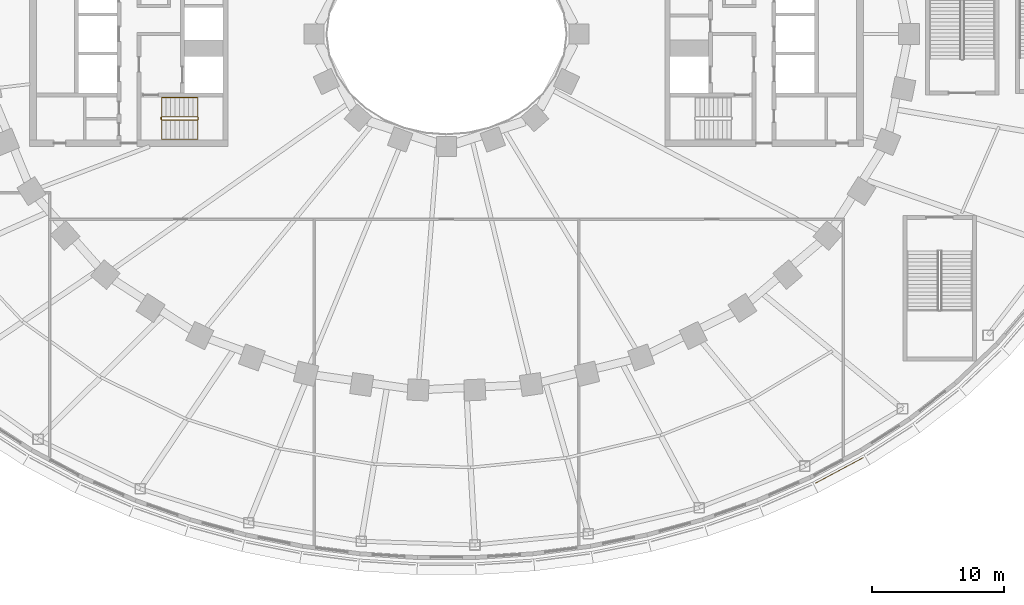
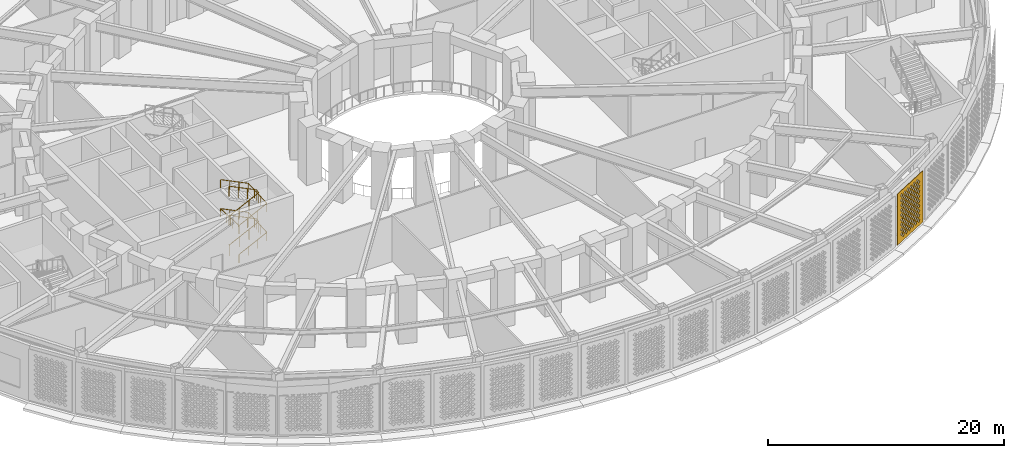
# One storey, part 65 of 74: 2 railings, 1 covering.
"""IFC4 building model written with IfcOpenShell, lengths in metres."""

from ifc_helpers import new_model, si_unit, direction, frame, origin, origin_2d, place, context, subcontext, project, spatial, polyline, rectangle, outline, extrude, material, layer, layer_set, type_object, element, save


model = new_model("IFC4")

# Units and contexts
model_context = context("Model", 3, precision=1e-05, world=origin(), true_north=direction((0.0, 1.0)))
body_context = subcontext(model_context, "Body", "Model", "MODEL_VIEW")
ifc_project = project(units=[si_unit("LENGTHUNIT", "METRE"), si_unit("AREAUNIT", "SQUARE_METRE"), si_unit("VOLUMEUNIT", "CUBIC_METRE"), si_unit("PLANEANGLEUNIT", "RADIAN"), si_unit("MASSUNIT", "GRAM", prefix="KILO")], contexts=[model_context])

# Site, building, storey
site_placement = place(None, origin())
site = spatial("IfcSite", under=ifc_project, at=site_placement, CompositionType="ELEMENT")
building_placement = place(site_placement, origin())
building = spatial("IfcBuilding", under=site, at=building_placement, Name="Noorbagh Ring Tower", CompositionType="ELEMENT")
storey_placement = place(building_placement, frame((0.0, 0.0, 13.5)))
storey = spatial("IfcBuildingStorey", under=building, at=storey_placement, Name="L02", CompositionType="ELEMENT", Elevation=13.5)

# Railings
ifc_material_1 = material(Name="Stainless steel", Category="steel")
railing_type_1 = type_object("IfcRailingType", Name="CORE-STAIR-GUARD", PredefinedType="GUARDRAIL", material=ifc_material_1)
railing_1_placement = place(storey_placement, frame((-21.580078125, -6.449951171875, 0.0)))
element("IfcRailing", 1, at=railing_1_placement, inside=storey, type_object=railing_type_1, Name="L02 ST2 stair guard", PredefinedType="GUARDRAIL", context=body_context, shape_type="SweptSolid", body=[
    extrude(rectangle(XDim=0.048095703125, YDim=0.048095703125, at=origin_2d()), frame((0.0, 0.0, 1.076171875), z_axis=(0.0, 1.0, 0.0), x_axis=(-1.0, 0.0, 0.0)), (0.0, 0.0, 1.0), 0.14990234375),
    extrude(rectangle(XDim=0.048095703125, YDim=0.048095703125, at=origin_2d()), frame((0.0, 0.14990234375, 1.076171875), z_axis=(0.188775798145, -0.754182335027, 0.628945707965), x_axis=(0.970072785993, 0.242814311512, 0.0)), (0.0, 0.0, 1.0), 0.26513671875),
    extrude(rectangle(XDim=0.048095703125, YDim=0.048095703125, at=origin_2d()), frame((0.050048828125, -0.050048828125, 1.24267578125), z_axis=(0.897929466783, 0.0, 0.4401393787), x_axis=(0.0, 1.0, 0.0)), (0.0, 0.0, 1.0), 3.029052734375),
    extrude(rectangle(XDim=0.048095703125, YDim=0.048095703125, at=origin_2d()), frame((2.77001953125, -0.050048828125, 2.576171875), z_axis=(0.707106781187, 0.707106781187, 0.0), x_axis=(-0.707106781187, 0.707106781187, 0.0)), (0.0, 0.0, 1.0), 0.07080078125),
    extrude(rectangle(XDim=0.048095703125, YDim=0.048095703125, at=origin_2d()), frame((2.820068359375, 0.0, 2.576171875), z_axis=(0.0, 1.0, 0.0), x_axis=(-1.0, 0.0, 0.0)), (0.0, 0.0, 1.0), 0.14990234375),
    extrude(rectangle(XDim=0.048095703125, YDim=0.048095703125, at=origin_2d()), frame((2.820068359375, 0.14990234375, 2.576171875), z_axis=(-0.27628659633, 0.27628659633, 0.920506074601), x_axis=(-0.707106781187, -0.707106781187, 0.0)), (0.0, 0.0, 1.0), 0.18115234375),
    extrude(rectangle(XDim=0.048095703125, YDim=0.048095703125, at=origin_2d()), frame((2.77001953125, 0.199951171875, 2.74267578125), z_axis=(-0.897929466783, 0.0, 0.4401393787), x_axis=(0.0, -1.0, 0.0)), (0.0, 0.0, 1.0), 3.029052734375),
    extrude(rectangle(XDim=0.048095703125, YDim=0.048095703125, at=origin_2d()), frame((0.050048828125, 0.199951171875, 4.076171875), z_axis=(-0.242814311512, -0.970072785993, 0.0), x_axis=(0.970072785993, -0.242814311512, 0.0)), (0.0, 0.0, 1.0), 0.2060546875),
    extrude(rectangle(XDim=0.048095703125, YDim=0.048095703125, at=origin_2d()), frame((0.0, 0.0, 4.076171875), z_axis=(0.0, 1.0, 0.0), x_axis=(-1.0, 0.0, 0.0)), (0.0, 0.0, 1.0), 0.14990234375),
    extrude(rectangle(XDim=0.048095703125, YDim=0.048095703125, at=origin_2d()), frame((0.0, 0.14990234375, 4.076171875), z_axis=(0.188775798145, -0.754182335027, 0.628945707965), x_axis=(0.970072785993, 0.242814311512, 0.0)), (0.0, 0.0, 1.0), 0.26513671875),
    extrude(rectangle(XDim=0.048095703125, YDim=0.048095703125, at=origin_2d()), frame((0.050048828125, -0.050048828125, 4.24267578125), z_axis=(0.897929466783, 0.0, 0.4401393787), x_axis=(0.0, 1.0, 0.0)), (0.0, 0.0, 1.0), 3.029052734375),
    extrude(rectangle(XDim=0.048095703125, YDim=0.048095703125, at=origin_2d()), frame((2.77001953125, -0.050048828125, 5.576171875), z_axis=(0.707106781187, 0.707106781187, 0.0), x_axis=(-0.707106781187, 0.707106781187, 0.0)), (0.0, 0.0, 1.0), 0.07080078125),
    extrude(rectangle(XDim=0.048095703125, YDim=0.048095703125, at=origin_2d()), frame((2.820068359375, 0.0, 5.576171875), z_axis=(0.0, 1.0, 0.0), x_axis=(-1.0, 0.0, 0.0)), (0.0, 0.0, 1.0), 0.14990234375),
    extrude(rectangle(XDim=0.048095703125, YDim=0.048095703125, at=origin_2d()), frame((2.820068359375, 0.14990234375, 5.576171875), z_axis=(-0.27628659633, 0.27628659633, 0.920506074601), x_axis=(-0.707106781187, -0.707106781187, 0.0)), (0.0, 0.0, 1.0), 0.18115234375),
    extrude(rectangle(XDim=0.048095703125, YDim=0.048095703125, at=origin_2d()), frame((2.77001953125, 0.199951171875, 5.74267578125), z_axis=(-0.897929466783, 0.0, 0.4401393787), x_axis=(0.0, -1.0, 0.0)), (0.0, 0.0, 1.0), 3.029052734375),
    extrude(rectangle(XDim=0.0419921875, YDim=0.0419921875, at=origin_2d()), origin(), (0.0, 0.0, 1.0), 1.052001953125),
    extrude(rectangle(XDim=0.0419921875, YDim=0.0419921875, at=origin_2d()), frame((0.956787109375, -0.050048828125, 0.611083984375)), (0.0, 0.0, 1.0), 1.052001953125),
    extrude(rectangle(XDim=0.0419921875, YDim=0.0419921875, at=origin_2d()), frame((1.86328125, -0.050048828125, 1.0556640625)), (0.0, 0.0, 1.0), 1.052001953125),
    extrude(rectangle(XDim=0.0419921875, YDim=0.0419921875, at=origin_2d()), frame((2.77001953125, -0.050048828125, 1.5)), (0.0, 0.0, 1.0), 1.052001953125),
    extrude(rectangle(XDim=0.0419921875, YDim=0.0419921875, at=origin_2d()), frame((2.77001953125, 0.199951171875, 1.666748046875)), (0.0, 0.0, 1.0), 1.052001953125),
    extrude(rectangle(XDim=0.0419921875, YDim=0.0419921875, at=origin_2d()), frame((1.86328125, 0.199951171875, 2.111083984375)), (0.0, 0.0, 1.0), 1.052001953125),
    extrude(rectangle(XDim=0.0419921875, YDim=0.0419921875, at=origin_2d()), frame((0.956787109375, 0.199951171875, 2.5556640625)), (0.0, 0.0, 1.0), 1.052001953125),
    extrude(rectangle(XDim=0.0419921875, YDim=0.0419921875, at=origin_2d()), frame((0.050048828125, 0.199951171875, 3.0)), (0.0, 0.0, 1.0), 1.052001953125),
    extrude(rectangle(XDim=0.0419921875, YDim=0.0419921875, at=origin_2d()), frame((0.050048828125, -0.050048828125, 3.166748046875)), (0.0, 0.0, 1.0), 1.052001953125),
    extrude(rectangle(XDim=0.0419921875, YDim=0.0419921875, at=origin_2d()), frame((0.956787109375, -0.050048828125, 3.611083984375)), (0.0, 0.0, 1.0), 1.052001953125),
    extrude(rectangle(XDim=0.0419921875, YDim=0.0419921875, at=origin_2d()), frame((1.86328125, -0.050048828125, 4.0556640625)), (0.0, 0.0, 1.0), 1.052001953125),
    extrude(rectangle(XDim=0.0419921875, YDim=0.0419921875, at=origin_2d()), frame((2.77001953125, -0.050048828125, 4.5)), (0.0, 0.0, 1.0), 1.052001953125),
    extrude(rectangle(XDim=0.0419921875, YDim=0.0419921875, at=origin_2d()), frame((2.77001953125, 0.199951171875, 4.666748046875)), (0.0, 0.0, 1.0), 1.052001953125),
    extrude(rectangle(XDim=0.0419921875, YDim=0.0419921875, at=origin_2d()), frame((1.86328125, 0.199951171875, 5.111083984375)), (0.0, 0.0, 1.0), 1.052001953125),
    extrude(rectangle(XDim=0.0419921875, YDim=0.0419921875, at=origin_2d()), frame((0.956787109375, 0.199951171875, 5.5556640625)), (0.0, 0.0, 1.0), 1.052001953125),
    extrude(rectangle(XDim=0.0419921875, YDim=0.0419921875, at=origin_2d()), frame((0.050048828125, 0.199951171875, 6.0)), (0.0, 0.0, 1.0), 1.052001953125),
])
ifc_material_2 = material(Name="Stainless steel", Category="steel")
railing_type_2 = type_object("IfcRailingType", Name="CORE-STAIR-HANDRAIL", PredefinedType="HANDRAIL", material=ifc_material_2)
railing_2_placement = place(storey_placement, frame((-21.530029296875, -7.949951171875, 0.166748046875)))
element("IfcRailing", 2, at=railing_2_placement, inside=storey, type_object=railing_type_2, Name="L02 ST2 stair handrail", PredefinedType="HANDRAIL", context=body_context, shape_type="SweptSolid", body=[
    extrude(rectangle(XDim=0.048095703125, YDim=0.048095703125, at=origin_2d()), frame((0.0, 0.0, 0.8759765625), z_axis=(0.897929466783, 0.0, 0.4401393787), x_axis=(0.0, 1.0, 0.0)), (0.0, 0.0, 1.0), 3.029052734375),
    extrude(rectangle(XDim=0.048095703125, YDim=0.048095703125, at=origin_2d()), frame((2.719970703125, 0.0, 2.208984375), z_axis=(0.0, 0.998601747152, 0.052863509014), x_axis=(-1.0, 0.0, 0.0)), (0.0, 0.0, 1.0), 3.154296875),
    extrude(rectangle(XDim=0.048095703125, YDim=0.048095703125, at=origin_2d()), frame((2.719970703125, 3.14990234375, 2.3759765625), z_axis=(-0.897929466783, 0.0, 0.4401393787), x_axis=(0.0, -1.0, 0.0)), (0.0, 0.0, 1.0), 3.029052734375),
    extrude(rectangle(XDim=0.048095703125, YDim=0.048095703125, at=origin_2d()), frame((0.0, 3.14990234375, 3.708984375), z_axis=(0.0, -0.998601747152, 0.052863509014), x_axis=(1.0, 0.0, 0.0)), (0.0, 0.0, 1.0), 3.154296875),
    extrude(rectangle(XDim=0.048095703125, YDim=0.048095703125, at=origin_2d()), frame((0.0, 0.0, 3.8759765625), z_axis=(0.897929466783, 0.0, 0.4401393787), x_axis=(0.0, 1.0, 0.0)), (0.0, 0.0, 1.0), 3.029052734375),
    extrude(rectangle(XDim=0.048095703125, YDim=0.048095703125, at=origin_2d()), frame((2.719970703125, 0.0, 5.208984375), z_axis=(0.0, 0.998601747152, 0.052863509014), x_axis=(-1.0, 0.0, 0.0)), (0.0, 0.0, 1.0), 3.154296875),
    extrude(rectangle(XDim=0.048095703125, YDim=0.048095703125, at=origin_2d()), frame((2.719970703125, 3.14990234375, 5.3759765625), z_axis=(-0.897929466783, 0.0, 0.4401393787), x_axis=(0.0, -1.0, 0.0)), (0.0, 0.0, 1.0), 3.029052734375),
    extrude(rectangle(XDim=0.0419921875, YDim=0.0419921875, at=origin_2d()), origin(), (0.0, 0.0, 1.0), 0.851806640625),
    extrude(rectangle(XDim=0.0419921875, YDim=0.0419921875, at=origin_2d()), frame((0.90673828125, 0.0, 0.4443359375)), (0.0, 0.0, 1.0), 0.851806640625),
    extrude(rectangle(XDim=0.0419921875, YDim=0.0419921875, at=origin_2d()), frame((1.813232421875, 0.0, 0.888916015625)), (0.0, 0.0, 1.0), 0.851806640625),
    extrude(rectangle(XDim=0.0419921875, YDim=0.0419921875, at=origin_2d()), frame((2.719970703125, 0.0, 1.333251953125)), (0.0, 0.0, 1.0), 0.851806640625),
    extrude(rectangle(XDim=0.0419921875, YDim=0.0419921875, at=origin_2d()), frame((2.719970703125, 1.050048828125, 1.388916015625)), (0.0, 0.0, 1.0), 0.851806640625),
    extrude(rectangle(XDim=0.0419921875, YDim=0.0419921875, at=origin_2d()), frame((2.719970703125, 2.099853515625, 1.4443359375)), (0.0, 0.0, 1.0), 0.851806640625),
    extrude(rectangle(XDim=0.0419921875, YDim=0.0419921875, at=origin_2d()), frame((2.719970703125, 3.14990234375, 1.5)), (0.0, 0.0, 1.0), 0.851806640625),
    extrude(rectangle(XDim=0.0419921875, YDim=0.0419921875, at=origin_2d()), frame((1.813232421875, 3.14990234375, 1.9443359375)), (0.0, 0.0, 1.0), 0.851806640625),
    extrude(rectangle(XDim=0.0419921875, YDim=0.0419921875, at=origin_2d()), frame((0.90673828125, 3.14990234375, 2.388916015625)), (0.0, 0.0, 1.0), 0.851806640625),
    extrude(rectangle(XDim=0.0419921875, YDim=0.0419921875, at=origin_2d()), frame((0.0, 3.14990234375, 2.833251953125)), (0.0, 0.0, 1.0), 0.851806640625),
    extrude(rectangle(XDim=0.0419921875, YDim=0.0419921875, at=origin_2d()), frame((0.0, 2.099853515625, 2.888916015625)), (0.0, 0.0, 1.0), 0.851806640625),
    extrude(rectangle(XDim=0.0419921875, YDim=0.0419921875, at=origin_2d()), frame((0.0, 1.050048828125, 2.9443359375)), (0.0, 0.0, 1.0), 0.851806640625),
    extrude(rectangle(XDim=0.0419921875, YDim=0.0419921875, at=origin_2d()), frame((0.0, 0.0, 3.0)), (0.0, 0.0, 1.0), 0.851806640625),
    extrude(rectangle(XDim=0.0419921875, YDim=0.0419921875, at=origin_2d()), frame((0.90673828125, 0.0, 3.4443359375)), (0.0, 0.0, 1.0), 0.851806640625),
    extrude(rectangle(XDim=0.0419921875, YDim=0.0419921875, at=origin_2d()), frame((1.813232421875, 0.0, 3.888916015625)), (0.0, 0.0, 1.0), 0.851806640625),
    extrude(rectangle(XDim=0.0419921875, YDim=0.0419921875, at=origin_2d()), frame((2.719970703125, 0.0, 4.333251953125)), (0.0, 0.0, 1.0), 0.851806640625),
    extrude(rectangle(XDim=0.0419921875, YDim=0.0419921875, at=origin_2d()), frame((2.719970703125, 1.050048828125, 4.388916015625)), (0.0, 0.0, 1.0), 0.851806640625),
    extrude(rectangle(XDim=0.0419921875, YDim=0.0419921875, at=origin_2d()), frame((2.719970703125, 2.099853515625, 4.4443359375)), (0.0, 0.0, 1.0), 0.851806640625),
    extrude(rectangle(XDim=0.0419921875, YDim=0.0419921875, at=origin_2d()), frame((2.719970703125, 3.14990234375, 4.5)), (0.0, 0.0, 1.0), 0.851806640625),
    extrude(rectangle(XDim=0.0419921875, YDim=0.0419921875, at=origin_2d()), frame((1.813232421875, 3.14990234375, 4.9443359375)), (0.0, 0.0, 1.0), 0.851806640625),
    extrude(rectangle(XDim=0.0419921875, YDim=0.0419921875, at=origin_2d()), frame((0.90673828125, 3.14990234375, 5.388916015625)), (0.0, 0.0, 1.0), 0.851806640625),
    extrude(rectangle(XDim=0.0419921875, YDim=0.0419921875, at=origin_2d()), frame((0.0, 3.14990234375, 5.833251953125)), (0.0, 0.0, 1.0), 0.851806640625),
])

# Covering
ifc_material_3 = material(Name="Red sandstone jali", Category="masonry")
ifc_layer = layer(ifc_material_3, 0.0400390625)
ifc_layer_set = layer_set([ifc_layer], Name="Red sandstone jali")
covering_type = type_object("IfcCoveringType", Name="STY-JALI", PredefinedType="USERDEFINED", material=ifc_layer_set)
covering_placement = place(storey_placement, frame((27.897705078125, -33.9609375, 0.449951171875), z_axis=(0.470869695201, -0.882202771556, 0.0), x_axis=(0.882202771556, 0.470869695201, 0.0)))
element("IfcCovering", 3, at=covering_placement, inside=storey, type_object=covering_type, Name="Jali screen", ObjectType="SCREEN", PredefinedType="USERDEFINED", context=body_context, shape_type="SweptSolid", body=[
    extrude(outline(polyline([(0.0, 0.0), (4.0966796875, 0.0), (4.0966796875, 5.300048828125), (0.0, 5.300048828125), (0.0, 0.0)]), holes=[polyline([(0.743408203125, 0.52490234375), (0.92333984375, 0.344970703125), (1.103271484375, 0.52490234375), (0.92333984375, 0.705078125), (0.743408203125, 0.52490234375)]), polyline([(1.243408203125, 0.52490234375), (1.42333984375, 0.344970703125), (1.603271484375, 0.52490234375), (1.42333984375, 0.705078125), (1.243408203125, 0.52490234375)]), polyline([(1.743408203125, 0.52490234375), (1.92333984375, 0.344970703125), (2.103271484375, 0.52490234375), (1.92333984375, 0.705078125), (1.743408203125, 0.52490234375)]), polyline([(2.243408203125, 0.52490234375), (2.42333984375, 0.344970703125), (2.603271484375, 0.52490234375), (2.42333984375, 0.705078125), (2.243408203125, 0.52490234375)]), polyline([(2.743408203125, 0.52490234375), (2.92333984375, 0.344970703125), (3.103271484375, 0.52490234375), (2.92333984375, 0.705078125), (2.743408203125, 0.52490234375)]), polyline([(3.243408203125, 0.52490234375), (3.42333984375, 0.344970703125), (3.603271484375, 0.52490234375), (3.42333984375, 0.705078125), (3.243408203125, 0.52490234375)]), polyline([(0.493408203125, 0.77490234375), (0.67333984375, 0.594970703125), (0.853271484375, 0.77490234375), (0.67333984375, 0.955078125), (0.493408203125, 0.77490234375)]), polyline([(0.993408203125, 0.77490234375), (1.17333984375, 0.594970703125), (1.353271484375, 0.77490234375), (1.17333984375, 0.955078125), (0.993408203125, 0.77490234375)]), polyline([(1.493408203125, 0.77490234375), (1.67333984375, 0.594970703125), (1.853271484375, 0.77490234375), (1.67333984375, 0.955078125), (1.493408203125, 0.77490234375)]), polyline([(1.993408203125, 0.77490234375), (2.17333984375, 0.594970703125), (2.353271484375, 0.77490234375), (2.17333984375, 0.955078125), (1.993408203125, 0.77490234375)]), polyline([(2.493408203125, 0.77490234375), (2.67333984375, 0.594970703125), (2.853271484375, 0.77490234375), (2.67333984375, 0.955078125), (2.493408203125, 0.77490234375)]), polyline([(2.993408203125, 0.77490234375), (3.17333984375, 0.594970703125), (3.353271484375, 0.77490234375), (3.17333984375, 0.955078125), (2.993408203125, 0.77490234375)]), polyline([(0.743408203125, 1.02490234375), (0.92333984375, 0.844970703125), (1.103271484375, 1.02490234375), (0.92333984375, 1.205078125), (0.743408203125, 1.02490234375)]), polyline([(1.243408203125, 1.02490234375), (1.42333984375, 0.844970703125), (1.603271484375, 1.02490234375), (1.42333984375, 1.205078125), (1.243408203125, 1.02490234375)]), polyline([(1.743408203125, 1.02490234375), (1.92333984375, 0.844970703125), (2.103271484375, 1.02490234375), (1.92333984375, 1.205078125), (1.743408203125, 1.02490234375)]), polyline([(2.243408203125, 1.02490234375), (2.42333984375, 0.844970703125), (2.603271484375, 1.02490234375), (2.42333984375, 1.205078125), (2.243408203125, 1.02490234375)]), polyline([(2.743408203125, 1.02490234375), (2.92333984375, 0.844970703125), (3.103271484375, 1.02490234375), (2.92333984375, 1.205078125), (2.743408203125, 1.02490234375)]), polyline([(3.243408203125, 1.02490234375), (3.42333984375, 0.844970703125), (3.603271484375, 1.02490234375), (3.42333984375, 1.205078125), (3.243408203125, 1.02490234375)]), polyline([(0.493408203125, 1.27490234375), (0.67333984375, 1.094970703125), (0.853271484375, 1.27490234375), (0.67333984375, 1.455078125), (0.493408203125, 1.27490234375)]), polyline([(0.993408203125, 1.27490234375), (1.17333984375, 1.094970703125), (1.353271484375, 1.27490234375), (1.17333984375, 1.455078125), (0.993408203125, 1.27490234375)]), polyline([(1.493408203125, 1.27490234375), (1.67333984375, 1.094970703125), (1.853271484375, 1.27490234375), (1.67333984375, 1.455078125), (1.493408203125, 1.27490234375)]), polyline([(1.993408203125, 1.27490234375), (2.17333984375, 1.094970703125), (2.353271484375, 1.27490234375), (2.17333984375, 1.455078125), (1.993408203125, 1.27490234375)]), polyline([(2.493408203125, 1.27490234375), (2.67333984375, 1.094970703125), (2.853271484375, 1.27490234375), (2.67333984375, 1.455078125), (2.493408203125, 1.27490234375)]), polyline([(2.993408203125, 1.27490234375), (3.17333984375, 1.094970703125), (3.353271484375, 1.27490234375), (3.17333984375, 1.455078125), (2.993408203125, 1.27490234375)]), polyline([(0.743408203125, 1.52490234375), (0.92333984375, 1.344970703125), (1.103271484375, 1.52490234375), (0.92333984375, 1.705078125), (0.743408203125, 1.52490234375)]), polyline([(1.243408203125, 1.52490234375), (1.42333984375, 1.344970703125), (1.603271484375, 1.52490234375), (1.42333984375, 1.705078125), (1.243408203125, 1.52490234375)]), polyline([(1.743408203125, 1.52490234375), (1.92333984375, 1.344970703125), (2.103271484375, 1.52490234375), (1.92333984375, 1.705078125), (1.743408203125, 1.52490234375)]), polyline([(2.243408203125, 1.52490234375), (2.42333984375, 1.344970703125), (2.603271484375, 1.52490234375), (2.42333984375, 1.705078125), (2.243408203125, 1.52490234375)]), polyline([(2.743408203125, 1.52490234375), (2.92333984375, 1.344970703125), (3.103271484375, 1.52490234375), (2.92333984375, 1.705078125), (2.743408203125, 1.52490234375)]), polyline([(3.243408203125, 1.52490234375), (3.42333984375, 1.344970703125), (3.603271484375, 1.52490234375), (3.42333984375, 1.705078125), (3.243408203125, 1.52490234375)]), polyline([(0.493408203125, 1.77490234375), (0.67333984375, 1.594970703125), (0.853271484375, 1.77490234375), (0.67333984375, 1.955078125), (0.493408203125, 1.77490234375)]), polyline([(0.993408203125, 1.77490234375), (1.17333984375, 1.594970703125), (1.353271484375, 1.77490234375), (1.17333984375, 1.955078125), (0.993408203125, 1.77490234375)]), polyline([(1.493408203125, 1.77490234375), (1.67333984375, 1.594970703125), (1.853271484375, 1.77490234375), (1.67333984375, 1.955078125), (1.493408203125, 1.77490234375)]), polyline([(1.993408203125, 1.77490234375), (2.17333984375, 1.594970703125), (2.353271484375, 1.77490234375), (2.17333984375, 1.955078125), (1.993408203125, 1.77490234375)]), polyline([(2.493408203125, 1.77490234375), (2.67333984375, 1.594970703125), (2.853271484375, 1.77490234375), (2.67333984375, 1.955078125), (2.493408203125, 1.77490234375)]), polyline([(2.993408203125, 1.77490234375), (3.17333984375, 1.594970703125), (3.353271484375, 1.77490234375), (3.17333984375, 1.955078125), (2.993408203125, 1.77490234375)]), polyline([(0.743408203125, 2.02490234375), (0.92333984375, 1.844970703125), (1.103271484375, 2.02490234375), (0.92333984375, 2.205078125), (0.743408203125, 2.02490234375)]), polyline([(1.243408203125, 2.02490234375), (1.42333984375, 1.844970703125), (1.603271484375, 2.02490234375), (1.42333984375, 2.205078125), (1.243408203125, 2.02490234375)]), polyline([(1.743408203125, 2.02490234375), (1.92333984375, 1.844970703125), (2.103271484375, 2.02490234375), (1.92333984375, 2.205078125), (1.743408203125, 2.02490234375)]), polyline([(2.243408203125, 2.02490234375), (2.42333984375, 1.844970703125), (2.603271484375, 2.02490234375), (2.42333984375, 2.205078125), (2.243408203125, 2.02490234375)]), polyline([(2.743408203125, 2.02490234375), (2.92333984375, 1.844970703125), (3.103271484375, 2.02490234375), (2.92333984375, 2.205078125), (2.743408203125, 2.02490234375)]), polyline([(3.243408203125, 2.02490234375), (3.42333984375, 1.844970703125), (3.603271484375, 2.02490234375), (3.42333984375, 2.205078125), (3.243408203125, 2.02490234375)]), polyline([(0.493408203125, 2.27490234375), (0.67333984375, 2.094970703125), (0.853271484375, 2.27490234375), (0.67333984375, 2.455078125), (0.493408203125, 2.27490234375)]), polyline([(0.993408203125, 2.27490234375), (1.17333984375, 2.094970703125), (1.353271484375, 2.27490234375), (1.17333984375, 2.455078125), (0.993408203125, 2.27490234375)]), polyline([(1.493408203125, 2.27490234375), (1.67333984375, 2.094970703125), (1.853271484375, 2.27490234375), (1.67333984375, 2.455078125), (1.493408203125, 2.27490234375)]), polyline([(1.993408203125, 2.27490234375), (2.17333984375, 2.094970703125), (2.353271484375, 2.27490234375), (2.17333984375, 2.455078125), (1.993408203125, 2.27490234375)]), polyline([(2.493408203125, 2.27490234375), (2.67333984375, 2.094970703125), (2.853271484375, 2.27490234375), (2.67333984375, 2.455078125), (2.493408203125, 2.27490234375)]), polyline([(2.993408203125, 2.27490234375), (3.17333984375, 2.094970703125), (3.353271484375, 2.27490234375), (3.17333984375, 2.455078125), (2.993408203125, 2.27490234375)]), polyline([(0.743408203125, 2.52490234375), (0.92333984375, 2.344970703125), (1.103271484375, 2.52490234375), (0.92333984375, 2.705078125), (0.743408203125, 2.52490234375)]), polyline([(1.243408203125, 2.52490234375), (1.42333984375, 2.344970703125), (1.603271484375, 2.52490234375), (1.42333984375, 2.705078125), (1.243408203125, 2.52490234375)]), polyline([(1.743408203125, 2.52490234375), (1.92333984375, 2.344970703125), (2.103271484375, 2.52490234375), (1.92333984375, 2.705078125), (1.743408203125, 2.52490234375)]), polyline([(2.243408203125, 2.52490234375), (2.42333984375, 2.344970703125), (2.603271484375, 2.52490234375), (2.42333984375, 2.705078125), (2.243408203125, 2.52490234375)]), polyline([(2.743408203125, 2.52490234375), (2.92333984375, 2.344970703125), (3.103271484375, 2.52490234375), (2.92333984375, 2.705078125), (2.743408203125, 2.52490234375)]), polyline([(3.243408203125, 2.52490234375), (3.42333984375, 2.344970703125), (3.603271484375, 2.52490234375), (3.42333984375, 2.705078125), (3.243408203125, 2.52490234375)]), polyline([(0.493408203125, 2.77490234375), (0.67333984375, 2.594970703125), (0.853271484375, 2.77490234375), (0.67333984375, 2.955078125), (0.493408203125, 2.77490234375)]), polyline([(0.993408203125, 2.77490234375), (1.17333984375, 2.594970703125), (1.353271484375, 2.77490234375), (1.17333984375, 2.955078125), (0.993408203125, 2.77490234375)]), polyline([(1.493408203125, 2.77490234375), (1.67333984375, 2.594970703125), (1.853271484375, 2.77490234375), (1.67333984375, 2.955078125), (1.493408203125, 2.77490234375)]), polyline([(1.993408203125, 2.77490234375), (2.17333984375, 2.594970703125), (2.353271484375, 2.77490234375), (2.17333984375, 2.955078125), (1.993408203125, 2.77490234375)]), polyline([(2.493408203125, 2.77490234375), (2.67333984375, 2.594970703125), (2.853271484375, 2.77490234375), (2.67333984375, 2.955078125), (2.493408203125, 2.77490234375)]), polyline([(2.993408203125, 2.77490234375), (3.17333984375, 2.594970703125), (3.353271484375, 2.77490234375), (3.17333984375, 2.955078125), (2.993408203125, 2.77490234375)]), polyline([(0.743408203125, 3.02490234375), (0.92333984375, 2.844970703125), (1.103271484375, 3.02490234375), (0.92333984375, 3.205078125), (0.743408203125, 3.02490234375)]), polyline([(1.243408203125, 3.02490234375), (1.42333984375, 2.844970703125), (1.603271484375, 3.02490234375), (1.42333984375, 3.205078125), (1.243408203125, 3.02490234375)]), polyline([(1.743408203125, 3.02490234375), (1.92333984375, 2.844970703125), (2.103271484375, 3.02490234375), (1.92333984375, 3.205078125), (1.743408203125, 3.02490234375)]), polyline([(2.243408203125, 3.02490234375), (2.42333984375, 2.844970703125), (2.603271484375, 3.02490234375), (2.42333984375, 3.205078125), (2.243408203125, 3.02490234375)]), polyline([(2.743408203125, 3.02490234375), (2.92333984375, 2.844970703125), (3.103271484375, 3.02490234375), (2.92333984375, 3.205078125), (2.743408203125, 3.02490234375)]), polyline([(3.243408203125, 3.02490234375), (3.42333984375, 2.844970703125), (3.603271484375, 3.02490234375), (3.42333984375, 3.205078125), (3.243408203125, 3.02490234375)]), polyline([(0.493408203125, 3.27490234375), (0.67333984375, 3.094970703125), (0.853271484375, 3.27490234375), (0.67333984375, 3.455078125), (0.493408203125, 3.27490234375)]), polyline([(0.993408203125, 3.27490234375), (1.17333984375, 3.094970703125), (1.353271484375, 3.27490234375), (1.17333984375, 3.455078125), (0.993408203125, 3.27490234375)]), polyline([(1.493408203125, 3.27490234375), (1.67333984375, 3.094970703125), (1.853271484375, 3.27490234375), (1.67333984375, 3.455078125), (1.493408203125, 3.27490234375)]), polyline([(1.993408203125, 3.27490234375), (2.17333984375, 3.094970703125), (2.353271484375, 3.27490234375), (2.17333984375, 3.455078125), (1.993408203125, 3.27490234375)]), polyline([(2.493408203125, 3.27490234375), (2.67333984375, 3.094970703125), (2.853271484375, 3.27490234375), (2.67333984375, 3.455078125), (2.493408203125, 3.27490234375)]), polyline([(2.993408203125, 3.27490234375), (3.17333984375, 3.094970703125), (3.353271484375, 3.27490234375), (3.17333984375, 3.455078125), (2.993408203125, 3.27490234375)]), polyline([(0.743408203125, 3.52490234375), (0.92333984375, 3.344970703125), (1.103271484375, 3.52490234375), (0.92333984375, 3.705078125), (0.743408203125, 3.52490234375)]), polyline([(1.243408203125, 3.52490234375), (1.42333984375, 3.344970703125), (1.603271484375, 3.52490234375), (1.42333984375, 3.705078125), (1.243408203125, 3.52490234375)]), polyline([(1.743408203125, 3.52490234375), (1.92333984375, 3.344970703125), (2.103271484375, 3.52490234375), (1.92333984375, 3.705078125), (1.743408203125, 3.52490234375)]), polyline([(2.243408203125, 3.52490234375), (2.42333984375, 3.344970703125), (2.603271484375, 3.52490234375), (2.42333984375, 3.705078125), (2.243408203125, 3.52490234375)]), polyline([(2.743408203125, 3.52490234375), (2.92333984375, 3.344970703125), (3.103271484375, 3.52490234375), (2.92333984375, 3.705078125), (2.743408203125, 3.52490234375)]), polyline([(3.243408203125, 3.52490234375), (3.42333984375, 3.344970703125), (3.603271484375, 3.52490234375), (3.42333984375, 3.705078125), (3.243408203125, 3.52490234375)]), polyline([(0.493408203125, 3.77490234375), (0.67333984375, 3.594970703125), (0.853271484375, 3.77490234375), (0.67333984375, 3.955078125), (0.493408203125, 3.77490234375)]), polyline([(0.993408203125, 3.77490234375), (1.17333984375, 3.594970703125), (1.353271484375, 3.77490234375), (1.17333984375, 3.955078125), (0.993408203125, 3.77490234375)]), polyline([(1.493408203125, 3.77490234375), (1.67333984375, 3.594970703125), (1.853271484375, 3.77490234375), (1.67333984375, 3.955078125), (1.493408203125, 3.77490234375)]), polyline([(1.993408203125, 3.77490234375), (2.17333984375, 3.594970703125), (2.353271484375, 3.77490234375), (2.17333984375, 3.955078125), (1.993408203125, 3.77490234375)]), polyline([(2.493408203125, 3.77490234375), (2.67333984375, 3.594970703125), (2.853271484375, 3.77490234375), (2.67333984375, 3.955078125), (2.493408203125, 3.77490234375)]), polyline([(2.993408203125, 3.77490234375), (3.17333984375, 3.594970703125), (3.353271484375, 3.77490234375), (3.17333984375, 3.955078125), (2.993408203125, 3.77490234375)]), polyline([(0.743408203125, 4.02490234375), (0.92333984375, 3.844970703125), (1.103271484375, 4.02490234375), (0.92333984375, 4.205078125), (0.743408203125, 4.02490234375)]), polyline([(1.243408203125, 4.02490234375), (1.42333984375, 3.844970703125), (1.603271484375, 4.02490234375), (1.42333984375, 4.205078125), (1.243408203125, 4.02490234375)]), polyline([(1.743408203125, 4.02490234375), (1.92333984375, 3.844970703125), (2.103271484375, 4.02490234375), (1.92333984375, 4.205078125), (1.743408203125, 4.02490234375)]), polyline([(2.243408203125, 4.02490234375), (2.42333984375, 3.844970703125), (2.603271484375, 4.02490234375), (2.42333984375, 4.205078125), (2.243408203125, 4.02490234375)]), polyline([(2.743408203125, 4.02490234375), (2.92333984375, 3.844970703125), (3.103271484375, 4.02490234375), (2.92333984375, 4.205078125), (2.743408203125, 4.02490234375)]), polyline([(3.243408203125, 4.02490234375), (3.42333984375, 3.844970703125), (3.603271484375, 4.02490234375), (3.42333984375, 4.205078125), (3.243408203125, 4.02490234375)]), polyline([(0.493408203125, 4.27490234375), (0.67333984375, 4.094970703125), (0.853271484375, 4.27490234375), (0.67333984375, 4.455078125), (0.493408203125, 4.27490234375)]), polyline([(0.993408203125, 4.27490234375), (1.17333984375, 4.094970703125), (1.353271484375, 4.27490234375), (1.17333984375, 4.455078125), (0.993408203125, 4.27490234375)]), polyline([(1.493408203125, 4.27490234375), (1.67333984375, 4.094970703125), (1.853271484375, 4.27490234375), (1.67333984375, 4.455078125), (1.493408203125, 4.27490234375)]), polyline([(1.993408203125, 4.27490234375), (2.17333984375, 4.094970703125), (2.353271484375, 4.27490234375), (2.17333984375, 4.455078125), (1.993408203125, 4.27490234375)]), polyline([(2.493408203125, 4.27490234375), (2.67333984375, 4.094970703125), (2.853271484375, 4.27490234375), (2.67333984375, 4.455078125), (2.493408203125, 4.27490234375)]), polyline([(2.993408203125, 4.27490234375), (3.17333984375, 4.094970703125), (3.353271484375, 4.27490234375), (3.17333984375, 4.455078125), (2.993408203125, 4.27490234375)]), polyline([(0.743408203125, 4.52490234375), (0.92333984375, 4.344970703125), (1.103271484375, 4.52490234375), (0.92333984375, 4.705078125), (0.743408203125, 4.52490234375)]), polyline([(1.243408203125, 4.52490234375), (1.42333984375, 4.344970703125), (1.603271484375, 4.52490234375), (1.42333984375, 4.705078125), (1.243408203125, 4.52490234375)]), polyline([(1.743408203125, 4.52490234375), (1.92333984375, 4.344970703125), (2.103271484375, 4.52490234375), (1.92333984375, 4.705078125), (1.743408203125, 4.52490234375)]), polyline([(2.243408203125, 4.52490234375), (2.42333984375, 4.344970703125), (2.603271484375, 4.52490234375), (2.42333984375, 4.705078125), (2.243408203125, 4.52490234375)]), polyline([(2.743408203125, 4.52490234375), (2.92333984375, 4.344970703125), (3.103271484375, 4.52490234375), (2.92333984375, 4.705078125), (2.743408203125, 4.52490234375)]), polyline([(3.243408203125, 4.52490234375), (3.42333984375, 4.344970703125), (3.603271484375, 4.52490234375), (3.42333984375, 4.705078125), (3.243408203125, 4.52490234375)]), polyline([(0.493408203125, 4.77490234375), (0.67333984375, 4.594970703125), (0.853271484375, 4.77490234375), (0.67333984375, 4.955078125), (0.493408203125, 4.77490234375)]), polyline([(0.993408203125, 4.77490234375), (1.17333984375, 4.594970703125), (1.353271484375, 4.77490234375), (1.17333984375, 4.955078125), (0.993408203125, 4.77490234375)]), polyline([(1.493408203125, 4.77490234375), (1.67333984375, 4.594970703125), (1.853271484375, 4.77490234375), (1.67333984375, 4.955078125), (1.493408203125, 4.77490234375)]), polyline([(1.993408203125, 4.77490234375), (2.17333984375, 4.594970703125), (2.353271484375, 4.77490234375), (2.17333984375, 4.955078125), (1.993408203125, 4.77490234375)]), polyline([(2.493408203125, 4.77490234375), (2.67333984375, 4.594970703125), (2.853271484375, 4.77490234375), (2.67333984375, 4.955078125), (2.493408203125, 4.77490234375)]), polyline([(2.993408203125, 4.77490234375), (3.17333984375, 4.594970703125), (3.353271484375, 4.77490234375), (3.17333984375, 4.955078125), (2.993408203125, 4.77490234375)])]), origin(), (0.0, 0.0, -1.0), 0.0400390625),
])

save(model, "model.ifc")
